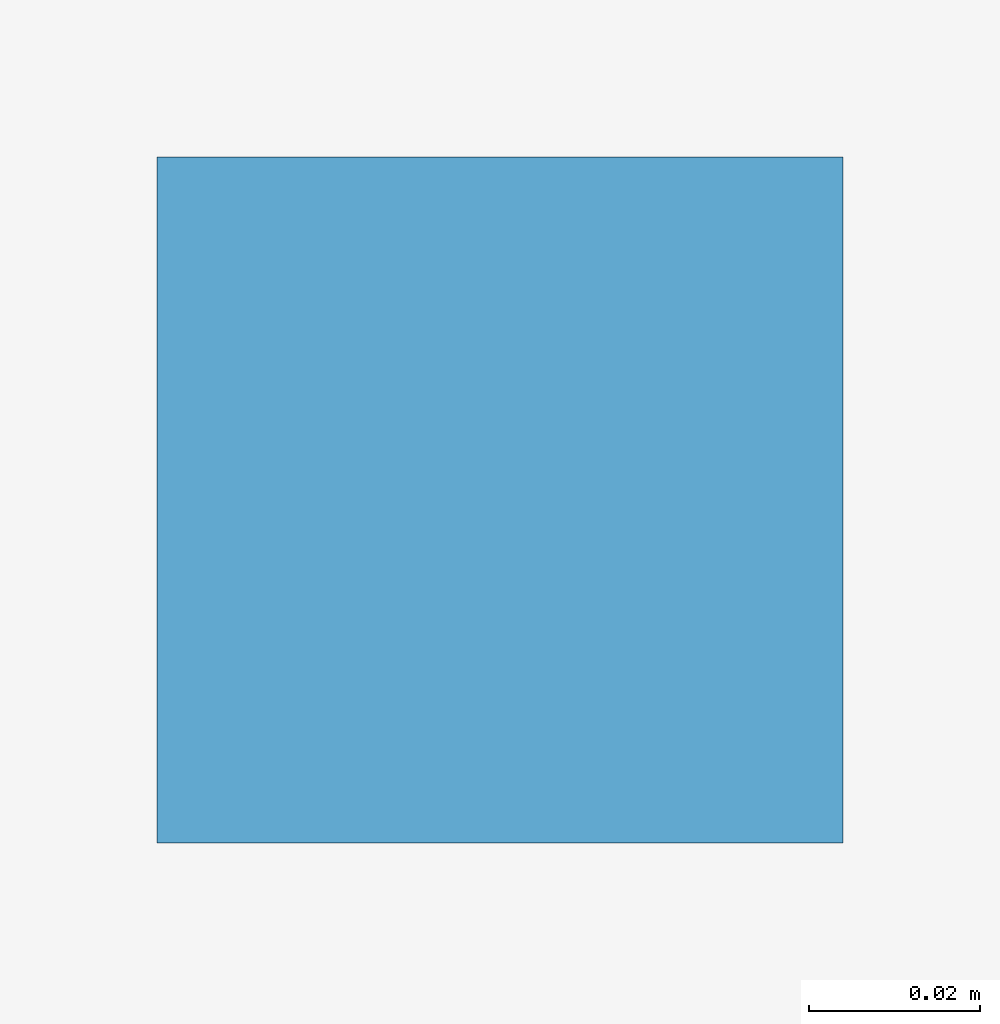
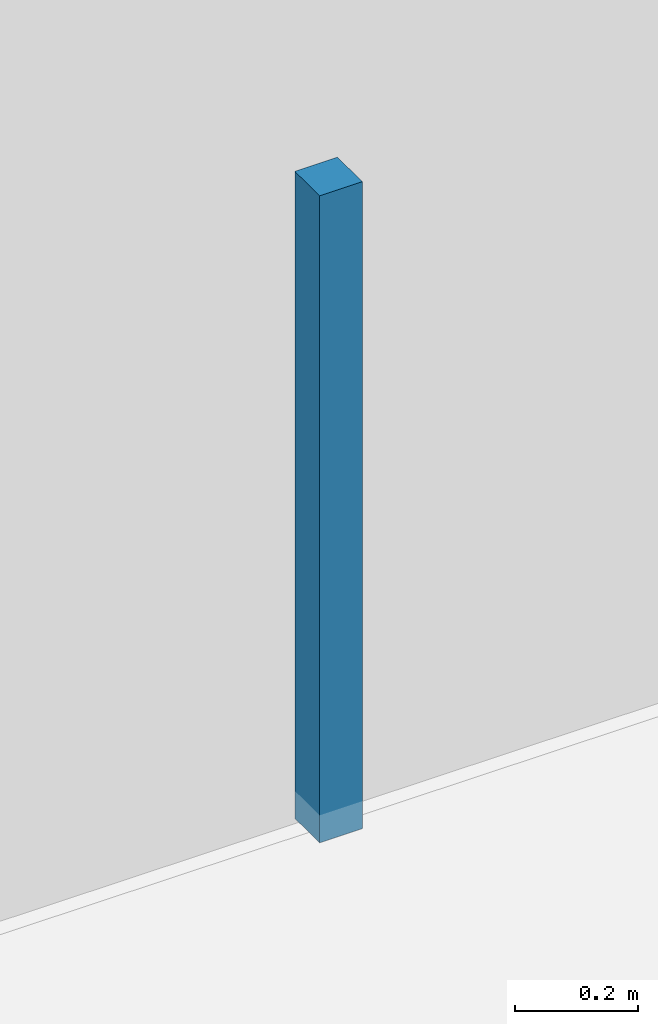
# One storey, part 122 of 147: 1 discrete accessory.
"""IFC4 building model written with IfcOpenShell, lengths in metres."""

import ifcopenshell
import ifcopenshell.guid

model = None  # the IFC model being written
_history = None  # IfcOwnerHistory: only IFC2X3 demands one
_inside = {}  # id of a spatial element -> (the spatial element, [elements in it])
_under = {}  # id of a project, library or spatial element -> (it, [spatial elements below it])
_declared = {}  # id of a project -> (the project, [libraries it declares])
_typed = {}  # id of a type object -> (the type object, [elements of that type])
_made_of = {}  # id of a material, layer set ... -> (it, [elements and type objects made of it])


def new_model(schema):
    """Start an empty IFC model of exactly this schema.

    Asked for "IFC4X3", IfcOpenShell would pick the latest addendum, in which some entities
    have other attributes; the version numbers below select the first issue.
    IFC2X3 requires an IfcOwnerHistory on every rooted entity: one is made here for all.
    """
    global model, _history
    if schema == "IFC4X3":
        model = ifcopenshell.file(schema_version=(4, 3, 0, 0))
    else:
        model = ifcopenshell.file(schema=schema)
    _inside.clear()
    _under.clear()
    _declared.clear()
    _typed.clear()
    _made_of.clear()
    _history = None
    if model.schema == "IFC2X3":
        org = make("IfcOrganization", Name="unknown")
        user = make(
            "IfcPersonAndOrganization",
            ThePerson=make("IfcPerson", FamilyName="unknown"),
            TheOrganization=org,
        )
        app = make(
            "IfcApplication",
            ApplicationDeveloper=org,
            Version="unknown",
            ApplicationFullName="unknown",
            ApplicationIdentifier="unknown",
        )
        _history = make(
            "IfcOwnerHistory",
            OwningUser=user,
            OwningApplication=app,
            ChangeAction="ADDED",
            CreationDate=0,
        )
    return model


def make(cls, **values):
    """One entity of the class cls with the attributes given. An attribute that is None is left unset."""
    return model.create_entity(
        cls, **{name: value for name, value in values.items() if value is not None}
    )


def rooted(cls, **values):
    """An entity with a GlobalId (a new one), such as an element, a storey or a relation."""
    return make(cls, GlobalId=ifcopenshell.guid.new(), OwnerHistory=_history, **values)


def si_unit(unit_type, name, prefix=None):
    """IfcSIUnit, for example si_unit("LENGTHUNIT", "METRE", prefix="MILLI")."""
    return make("IfcSIUnit", UnitType=unit_type, Prefix=prefix, Name=name)


def assignment(units):
    """IfcUnitAssignment: the units of a project."""
    return None if units is None else make("IfcUnitAssignment", Units=units)


def point(xyz):
    """IfcCartesianPoint."""
    return None if xyz is None else make("IfcCartesianPoint", Coordinates=xyz)


def direction(xyz):
    """IfcDirection."""
    return None if xyz is None else make("IfcDirection", DirectionRatios=xyz)


def frame(location, z_axis=None, x_axis=None):
    """IfcAxis2Placement3D, a coordinate frame: its origin and axes. An axis left out is left unset."""
    return make(
        "IfcAxis2Placement3D",
        Location=point(location),
        Axis=direction(z_axis),
        RefDirection=direction(x_axis),
    )


def frame_2d(location, x_axis=None):
    """IfcAxis2Placement2D, a coordinate frame in the plane: its origin and x axis."""
    return make(
        "IfcAxis2Placement2D", Location=point(location), RefDirection=direction(x_axis)
    )


def origin():
    """The frame at (0, 0, 0) with its axes left unset."""
    return frame((0.0, 0.0, 0.0))


def origin_2d():
    """The frame at (0, 0) in the plane with its x axis left unset."""
    return frame_2d((0.0, 0.0))


def place(relative_to, where):
    """IfcLocalPlacement: puts the frame where relative to a parent placement (None: the world)."""
    return make(
        "IfcLocalPlacement", PlacementRelTo=relative_to, RelativePlacement=where
    )


def context(
    kind, dimensions, precision=None, world=None, true_north=None, identifier=None
):
    """IfcGeometricRepresentationContext, for example the 3D "Model" context."""
    return make(
        "IfcGeometricRepresentationContext",
        ContextIdentifier=identifier,
        ContextType=kind,
        CoordinateSpaceDimension=dimensions,
        Precision=precision,
        WorldCoordinateSystem=world,
        TrueNorth=true_north,
    )


def subcontext(parent, identifier, kind, view, scale=None):
    """IfcGeometricRepresentationSubContext, for example "Body" below "Model"."""
    return make(
        "IfcGeometricRepresentationSubContext",
        ContextIdentifier=identifier,
        ContextType=kind,
        ParentContext=parent,
        TargetScale=scale,
        TargetView=view,
    )


def project(units=None, contexts=None):
    """IfcProject with its units and contexts."""
    return rooted(
        "IfcProject",
        Name="project",
        RepresentationContexts=contexts,
        UnitsInContext=assignment(units),
    )


def spatial(cls, under=None, at=None, **own):
    """A site, building, storey or space (cls), placed at a placement, below another one or the project."""
    s = rooted(cls, ObjectPlacement=at, **own)
    if under is not None:
        _under.setdefault(under.id(), (under, []))[1].append(s)
    return s


def profile(cls, at=None, kind="AREA", **sizes):
    """A parametric profile (cls). Its sizes go by their IFC names, for example OverallWidth=200.0."""
    return make(cls, ProfileType=kind, Position=at, **sizes)


def rectangle(**sizes):
    """IfcRectangleProfileDef."""
    return profile("IfcRectangleProfileDef", **sizes)


def extrude(swept, where, along, depth):
    """IfcExtrudedAreaSolid: the profile swept, set in the frame where, extruded along a direction by depth."""
    return make(
        "IfcExtrudedAreaSolid",
        SweptArea=swept,
        Position=where,
        ExtrudedDirection=direction(along),
        Depth=depth,
    )


def shape(context_of_items, identifier, shape_type, items):
    """IfcShapeRepresentation: the items that make up one representation, for example the "Body"."""
    return make(
        "IfcShapeRepresentation",
        ContextOfItems=context_of_items,
        RepresentationIdentifier=identifier,
        RepresentationType=shape_type,
        Items=items,
    )


def material(Name=None, Category=None):
    """IfcMaterial."""
    return make("IfcMaterial", Name=Name, Category=Category)


def layer(
    of_material, thickness, ventilated=None, Name=None, Category=None, Priority=None
):
    """IfcMaterialLayer: one layer of a wall or slab, of a material (None: an air gap)."""
    return make(
        "IfcMaterialLayer",
        Material=of_material,
        LayerThickness=thickness,
        IsVentilated=ventilated,
        Name=Name,
        Category=Category,
        Priority=Priority,
    )


def layer_set(layers, Name=None):
    """IfcMaterialLayerSet."""
    return make("IfcMaterialLayerSet", MaterialLayers=layers, LayerSetName=Name)


def made_of(thing, what):
    """Note that an element or type object is made of a material, layer set ...; save() writes the relation."""
    if what is not None:
        _made_of.setdefault(what.id(), (what, []))[1].append(thing)
    return thing


def type_object(cls, material=None, **own):
    """A type object (cls), such as IfcWallType, which elements share."""
    return made_of(rooted(cls, **own), material)


def element(
    cls,
    number,
    at=None,
    inside=None,
    cuts=None,
    type_object=None,
    material=None,
    context=None,
    identifier="Body",
    shape_type=None,
    held_by="IfcProductDefinitionShape",
    body=None,
    shapes=None,
    **own,
):
    """One element of the class cls, such as IfcWall. Its Tag is "e" and its number.

    at: its placement. inside: the storey or other place that contains it. cuts: it is an
    opening in that element (IfcRelVoidsElement). A single representation is given by context,
    identifier, shape_type and body (its items); several are given by shapes. held_by: the class
    of the entity that holds the representations. save() writes the other relations.
    """
    e = rooted(cls, Tag="e%d" % number, ObjectPlacement=at, **own)
    if body is not None:
        shapes = [shape(context, identifier, shape_type, body)]
    if shapes is not None:
        e.Representation = make(held_by, Representations=shapes)
    if inside is not None:
        _inside.setdefault(inside.id(), (inside, []))[1].append(e)
    if cuts is not None:
        rooted(
            "IfcRelVoidsElement", RelatingBuildingElement=cuts, RelatedOpeningElement=e
        )
    if type_object is not None:
        _typed.setdefault(type_object.id(), (type_object, []))[1].append(e)
    return made_of(e, material)


def aggregate(whole, parts):
    """IfcRelAggregates: a whole, such as a stair, and the parts it consists of."""
    return rooted("IfcRelAggregates", RelatingObject=whole, RelatedObjects=parts)


def save(model, path):
    """Write the relations noted so far, then the file.

    IfcRelAggregates (storeys below a building ...), IfcRelContainedInSpatialStructure (elements
    in a storey), IfcRelDefinesByType, IfcRelAssociatesMaterial and IfcRelDeclares: one each for
    every whole, place, type object, material and project.
    """
    for whole, parts in _under.values():
        aggregate(whole, parts)
    for where, things in _inside.values():
        rooted(
            "IfcRelContainedInSpatialStructure",
            RelatedElements=things,
            RelatingStructure=where,
        )
    for kind, things in _typed.values():
        rooted("IfcRelDefinesByType", RelatedObjects=things, RelatingType=kind)
    for what, things in _made_of.values():
        rooted("IfcRelAssociatesMaterial", RelatedObjects=things, RelatingMaterial=what)
    for by, libraries in _declared.values():
        rooted("IfcRelDeclares", RelatingContext=by, RelatedDefinitions=libraries)
    model.write(path)


model = new_model("IFC4")

# Units and contexts
model_context = context("Model", 3, precision=1e-05, world=origin(), true_north=direction((0.0, 1.0)))
body_context = subcontext(model_context, "Body", "Model", "MODEL_VIEW")
ifc_project = project(units=[si_unit("LENGTHUNIT", "METRE"), si_unit("AREAUNIT", "SQUARE_METRE"), si_unit("VOLUMEUNIT", "CUBIC_METRE"), si_unit("PLANEANGLEUNIT", "RADIAN"), si_unit("MASSUNIT", "GRAM", prefix="KILO")], contexts=[model_context])

# Site, building, storey
site_placement = place(None, origin())
site = spatial("IfcSite", under=ifc_project, at=site_placement, CompositionType="ELEMENT")
building_placement = place(site_placement, origin())
building = spatial("IfcBuilding", under=site, at=building_placement, Name="Varnabhumi Central Station", CompositionType="ELEMENT")
storey_placement = place(building_placement, origin())
storey = spatial("IfcBuildingStorey", under=building, at=storey_placement, Name="L00", CompositionType="ELEMENT", Elevation=0.0)

# Discrete accessory
ifc_material = material(Name="Structural steel E350", Category="steel")
ifc_layer = layer(ifc_material, 0.159912109375, Name="Structural steel E350", Category="steel")
ifc_layer_set = layer_set([ifc_layer], Name="Structural steel E350")
discrete_accessory_type = type_object("IfcDiscreteAccessoryType", Name="ACC-SHADE-BRKT", PredefinedType="BRACKET", material=ifc_layer_set)
discrete_accessory_placement = place(storey_placement, frame((58.5, 75.60009765625, 3.39013671875), z_axis=(0.0, 0.0, 1.0), x_axis=(1.0, 0.0, 0.0)))
element("IfcDiscreteAccessory", 1, at=discrete_accessory_placement, inside=storey, type_object=discrete_accessory_type, Name="Passenger Cloak Room and Left Luggage Ceiling Hanger", PredefinedType="BRACKET", context=body_context, shape_type="SweptSolid", body=[
    extrude(rectangle(XDim=0.080078125, YDim=0.080078125, at=origin_2d()), origin(), (0.0, 0.0, 1.0), 1.280029296875),
])

save(model, "model.ifc")
